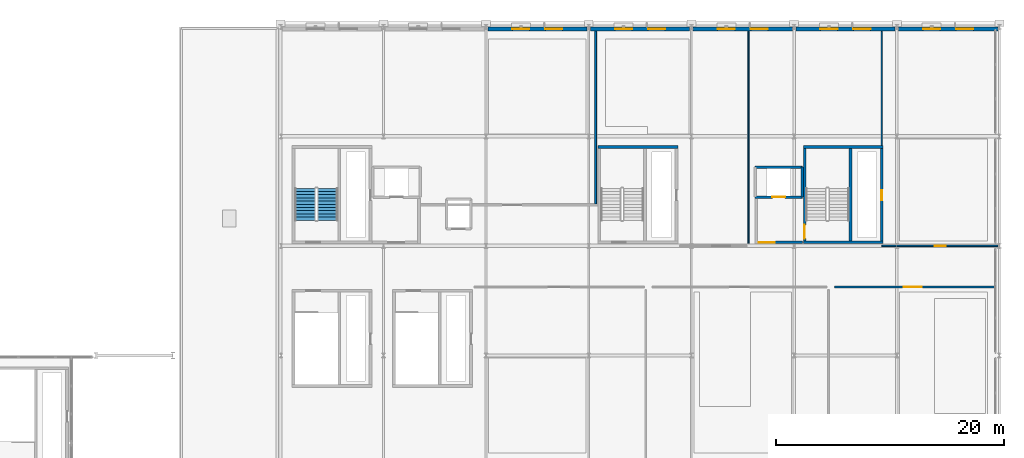
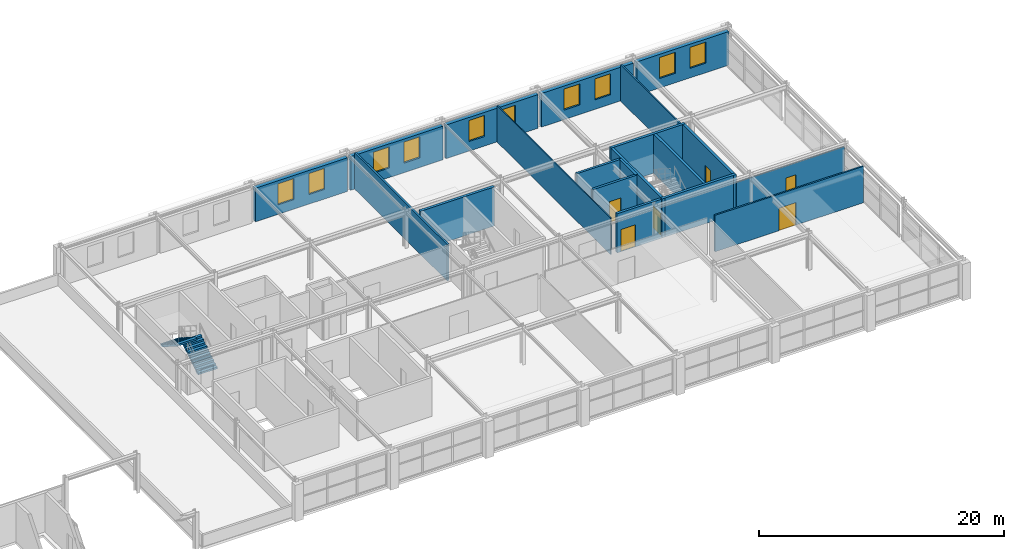
# One storey, part 39 of 52: 20 walls, 10 windows, 6 doors, 2 stair flights, 16 openings, 1 element without a shape of its own.
"""IFC4 building model written with IfcOpenShell, lengths in metres."""

from ifc_helpers import new_model, si_unit, direction, frame, frame_2d, origin, place, context, subcontext, project, spatial, polyline, rectangle, outline, extrude, material, layer, layer_set, type_object, element, fill, aggregate, save


model = new_model("IFC4")

# Units and contexts
model_context = context("Model", 3, precision=1e-05, world=origin(), true_north=direction((0.0, 1.0)))
body_context = subcontext(model_context, "Body", "Model", "MODEL_VIEW")
ifc_project = project(units=[si_unit("LENGTHUNIT", "METRE"), si_unit("AREAUNIT", "SQUARE_METRE"), si_unit("VOLUMEUNIT", "CUBIC_METRE"), si_unit("PLANEANGLEUNIT", "RADIAN"), si_unit("MASSUNIT", "GRAM", prefix="KILO")], contexts=[model_context])

# Site, building, storey
site_placement = place(None, origin())
site = spatial("IfcSite", under=ifc_project, at=site_placement, CompositionType="ELEMENT")
building_placement = place(site_placement, origin())
building = spatial("IfcBuilding", under=site, at=building_placement, Name="Myrtia Square Station", CompositionType="ELEMENT")
storey_placement = place(building_placement, frame((0.0, 0.0, 15.0)))
storey = spatial("IfcBuildingStorey", under=building, at=storey_placement, Name="L03", CompositionType="ELEMENT", Elevation=15.0)

# Walls
ifc_material_1 = material(Name="Concrete C35/45", Category="concrete")
ifc_layer_1 = layer(ifc_material_1, 0.25, Name="Concrete C35/45")
ifc_layer_set_1 = layer_set([ifc_layer_1], Name="Concrete C35/45")
wall_type_1 = type_object("IfcWallType", Name="WL-CORE-250", PredefinedType="SHEAR", material=ifc_layer_set_1)
for number, where, z_axis, x_axis, name in (
    (1, (171.800048828125, 105.925048828125, 0.0), (0.0, 0.0, 1.0), (1.0, 0.0, 0.0), "Core K8 shear wall L03 S"),
    (2, (171.800048828125, 114.27490234375, 0.0), (0.0, 0.0, 1.0), (1.0, 0.0, 0.0), "Core K8 shear wall L03 N"),
):
    element("IfcWall", number, at=place(storey_placement, frame(where, z_axis=z_axis, x_axis=x_axis)), inside=storey, type_object=wall_type_1, Name=name, PredefinedType="SHEAR", context=body_context, shape_type="SweptSolid", body=[
        extrude(rectangle(XDim=7.0, YDim=0.25, at=frame_2d((3.5, 0.0))), origin(), (0.0, 0.0, 1.0), 3.89990234375),
    ])

# Wall, opening, door
wall_1_placement = place(storey_placement, frame((171.925048828125, 105.800048828125, 0.0), z_axis=(0.0, 0.0, 1.0), x_axis=(0.0, 1.0, 0.0)))
wall_1 = element("IfcWall", 3, at=wall_1_placement, inside=storey, type_object=wall_type_1, Name="Core K8 shear wall L03 W", PredefinedType="SHEAR", context=body_context, shape_type="SweptSolid", body=[
    extrude(rectangle(XDim=8.599853515625, YDim=0.25, at=frame_2d((4.2998046875, 0.0))), origin(), (0.0, 0.0, 1.0), 3.89990234375),
])
opening_1_placement = place(wall_1_placement, frame((0.449951171875, 0.0, 0.0)))
opening_1 = element("IfcOpeningElement", 4, at=opening_1_placement, cuts=wall_1, Name="Opening SD-137", PredefinedType="OPENING", context=body_context, shape_type="SweptSolid", body=[
    extrude(rectangle(XDim=1.199951171875, YDim=2.14990234375, at=frame_2d((0.60009765625, 1.074951171875))), frame((0.0, 0.139892578125, 0.0), z_axis=(0.0, -1.0, 0.0), x_axis=(1.0, 0.0, 0.0)), (0.0, 0.0, 1.0), 0.280029296875),
])
ifc_material_2 = material(Name="Dark bronze anodised aluminium", Category="aluminium")
door_type_1 = type_object("IfcDoorType", Name="DR-STAIR-1200x2150", OperationType="NOTDEFINED", PredefinedType="DOOR", material=ifc_material_2)
door_1_placement = place(opening_1_placement, frame((1.199951171875, 0.0, 0.0), z_axis=(0.0, 0.0, 1.0), x_axis=(-1.0, 0.0, 0.0)))
door_1 = element("IfcDoor", 5, at=door_1_placement, inside=storey, type_object=door_type_1, Name="Protected stair fire door K8 L03", OperationType="SINGLE_SWING_LEFT", OverallHeight=2.14990234375, OverallWidth=1.199951171875, PredefinedType="DOOR", context=body_context, shape_type="SweptSolid", body=[
    extrude(rectangle(XDim=1.199951171875, YDim=2.14990234375, at=frame_2d((0.60009765625, 1.074951171875))), frame((0.0, 0.02490234375, 0.0), z_axis=(0.0, -1.0, 0.0), x_axis=(1.0, 0.0, 0.0)), (0.0, 0.0, 1.0), 0.050048828125),
])
fill(opening_1, door_1)

wall_2_placement = place(storey_placement, frame((178.675048828125, 105.800048828125, 0.0), z_axis=(0.0, 0.0, 1.0), x_axis=(0.0, 1.0, 0.0)))
wall_2 = element("IfcWall", 6, at=wall_2_placement, inside=storey, type_object=wall_type_1, Name="Core K8 shear wall L03 E", PredefinedType="SHEAR", context=body_context, shape_type="SweptSolid", body=[
    extrude(rectangle(XDim=8.599853515625, YDim=0.25, at=frame_2d((4.2998046875, 0.0))), origin(), (0.0, 0.0, 1.0), 3.89990234375),
])
opening_2_placement = place(wall_2_placement, frame((3.800048828125, 0.0, 0.0)))
opening_2 = element("IfcOpeningElement", 7, at=opening_2_placement, cuts=wall_2, Name="Opening RD-138", PredefinedType="OPENING", context=body_context, shape_type="SweptSolid", body=[
    extrude(rectangle(XDim=0.89990234375, YDim=2.050048828125, at=frame_2d((0.449951171875, 1.02490234375))), frame((0.0, 0.139892578125, 0.0), z_axis=(0.0, -1.0, 0.0), x_axis=(1.0, 0.0, 0.0)), (0.0, 0.0, 1.0), 0.280029296875),
])
door_type_2 = type_object("IfcDoorType", Name="DR-RISER-900x2050", OperationType="NOTDEFINED", PredefinedType="DOOR", material=ifc_material_2)
door_2_placement = place(opening_2_placement, origin())
door_2 = element("IfcDoor", 8, at=door_2_placement, inside=storey, type_object=door_type_2, Name="Riser cupboard access door K8 L03", OperationType="SINGLE_SWING_RIGHT", OverallHeight=2.050048828125, OverallWidth=0.89990234375, PredefinedType="DOOR", context=body_context, shape_type="SweptSolid", body=[
    extrude(rectangle(XDim=0.89990234375, YDim=2.050048828125, at=frame_2d((0.449951171875, 1.02490234375))), frame((0.0, 0.02490234375, 0.0), z_axis=(0.0, -1.0, 0.0), x_axis=(1.0, 0.0, 0.0)), (0.0, 0.0, 1.0), 0.050048828125),
])
fill(opening_2, door_2)

# Walls
wall_3_placement = place(storey_placement, frame((175.93994140625, 106.0, 0.0), z_axis=(0.0, 0.0, 1.0), x_axis=(0.0, 1.0, 0.0)))
element("IfcWall", 9, at=wall_3_placement, inside=storey, type_object=wall_type_1, Name="Core K8 shear wall L03 D", PredefinedType="SHEAR", context=body_context, shape_type="SweptSolid", body=[
    extrude(rectangle(XDim=8.199951171875, YDim=0.25, at=frame_2d((4.10009765625, 0.0))), origin(), (0.0, 0.0, 1.0), 3.89990234375),
])
wall_4_placement = place(storey_placement, frame((153.800048828125, 114.27490234375, 0.0), z_axis=(0.0, 0.0, 1.0), x_axis=(1.0, 0.0, 0.0)))
element("IfcWall", 10, at=wall_4_placement, inside=storey, type_object=wall_type_1, Name="Core K15 shear wall L03 N", PredefinedType="SHEAR", context=body_context, shape_type="SweptSolid", body=[
    extrude(rectangle(XDim=7.0, YDim=0.25, at=frame_2d((3.5, 0.0))), origin(), (0.0, 0.0, 1.0), 3.89990234375),
])

# Wall, openings, windows
ifc_material_3 = material(Name="Cream lime stucco on clay brick masonry", Category="masonry")
ifc_layer_2 = layer(ifc_material_3, 0.360107421875, Name="Cream lime stucco on clay brick masonry")
ifc_layer_set_2 = layer_set([ifc_layer_2], Name="Cream lime stucco on clay brick masonry")
wall_type_2 = type_object("IfcWallType", Name="WL-EXT-STUCCO-360", PredefinedType="SOLIDWALL", material=ifc_layer_set_2)
wall_5_placement = place(storey_placement, frame((144.155029296875, 124.60009765625, 0.0), z_axis=(0.0, 0.0, 1.0), x_axis=(1.0, 0.0, 0.0)))
wall_5 = element("IfcWall", 11, at=wall_5_placement, inside=storey, type_object=wall_type_2, Name="Exterior envelope wall EW-L03-0130", PredefinedType="SOLIDWALL", context=body_context, shape_type="SweptSolid", body=[
    extrude(rectangle(XDim=8.68994140625, YDim=0.360107421875, at=frame_2d((4.344970703125, 0.0))), origin(), (0.0, 0.0, 1.0), 3.360107421875),
])
opening_3_placement = place(wall_5_placement, frame((2.14697265625, 0.0, 0.949951171875)))
opening_3 = element("IfcOpeningElement", 12, at=opening_3_placement, cuts=wall_5, Name="Opening WN-153", PredefinedType="OPENING", context=body_context, shape_type="SweptSolid", body=[
    extrude(rectangle(XDim=1.5, YDim=2.10009765625, at=frame_2d((0.75, 1.050048828125))), frame((0.0, 0.195068359375, 0.0), z_axis=(0.0, -1.0, 0.0), x_axis=(1.0, 0.0, 0.0)), (0.0, 0.0, 1.0), 0.39013671875),
])
opening_4_placement = place(wall_5_placement, frame((5.04296875, 0.0, 0.949951171875)))
opening_4 = element("IfcOpeningElement", 13, at=opening_4_placement, cuts=wall_5, Name="Opening WN-154", PredefinedType="OPENING", context=body_context, shape_type="SweptSolid", body=[
    extrude(rectangle(XDim=1.5, YDim=2.10009765625, at=frame_2d((0.75, 1.050048828125))), frame((0.0, 0.195068359375, 0.0), z_axis=(0.0, -1.0, 0.0), x_axis=(1.0, 0.0, 0.0)), (0.0, 0.0, 1.0), 0.39013671875),
])
ifc_material_4 = material(Name="Tinted low-E solar control glass", Category="glass")
window_type = type_object("IfcWindowType", Name="WN-LOG-1500x2100", PartitioningType="SINGLE_PANEL", PredefinedType="WINDOW", material=ifc_material_4)
window_1_placement = place(opening_3_placement, origin())
window_1 = element("IfcWindow", 14, at=window_1_placement, inside=storey, type_object=window_type, Name="Window WN-153", OverallHeight=2.10009765625, OverallWidth=1.5, PartitioningType="SINGLE_PANEL", PredefinedType="WINDOW", context=body_context, shape_type="SweptSolid", body=[
    extrude(rectangle(XDim=1.5, YDim=2.10009765625, at=frame_2d((0.75, 1.050048828125))), frame((0.0, 0.030029296875, 0.0), z_axis=(0.0, -1.0, 0.0), x_axis=(1.0, 0.0, 0.0)), (0.0, 0.0, 1.0), 0.06005859375),
])
fill(opening_3, window_1)
window_2_placement = place(opening_4_placement, origin())
window_2 = element("IfcWindow", 15, at=window_2_placement, inside=storey, type_object=window_type, Name="Window WN-154", OverallHeight=2.10009765625, OverallWidth=1.5, PartitioningType="SINGLE_PANEL", PredefinedType="WINDOW", context=body_context, shape_type="SweptSolid", body=[
    extrude(rectangle(XDim=1.5, YDim=2.10009765625, at=frame_2d((0.75, 1.050048828125))), frame((0.0, 0.030029296875, 0.0), z_axis=(0.0, -1.0, 0.0), x_axis=(1.0, 0.0, 0.0)), (0.0, 0.0, 1.0), 0.06005859375),
])
fill(opening_4, window_2)

wall_6_placement = place(storey_placement, frame((153.155029296875, 124.60009765625, 0.0), z_axis=(0.0, 0.0, 1.0), x_axis=(1.0, 0.0, 0.0)))
wall_6 = element("IfcWall", 16, at=wall_6_placement, inside=storey, type_object=wall_type_2, Name="Exterior envelope wall EW-L03-0131", PredefinedType="SOLIDWALL", context=body_context, shape_type="SweptSolid", body=[
    extrude(rectangle(XDim=8.68994140625, YDim=0.360107421875, at=frame_2d((4.344970703125, 0.0))), origin(), (0.0, 0.0, 1.0), 3.360107421875),
])
opening_5_placement = place(wall_6_placement, frame((2.14697265625, 0.0, 0.949951171875)))
opening_5 = element("IfcOpeningElement", 17, at=opening_5_placement, cuts=wall_6, Name="Opening WN-155", PredefinedType="OPENING", context=body_context, shape_type="SweptSolid", body=[
    extrude(rectangle(XDim=1.5, YDim=2.10009765625, at=frame_2d((0.75, 1.050048828125))), frame((0.0, 0.195068359375, 0.0), z_axis=(0.0, -1.0, 0.0), x_axis=(1.0, 0.0, 0.0)), (0.0, 0.0, 1.0), 0.39013671875),
])
opening_6_placement = place(wall_6_placement, frame((5.04296875, 0.0, 0.949951171875)))
opening_6 = element("IfcOpeningElement", 18, at=opening_6_placement, cuts=wall_6, Name="Opening WN-156", PredefinedType="OPENING", context=body_context, shape_type="SweptSolid", body=[
    extrude(rectangle(XDim=1.5, YDim=2.10009765625, at=frame_2d((0.75, 1.050048828125))), frame((0.0, 0.195068359375, 0.0), z_axis=(0.0, -1.0, 0.0), x_axis=(1.0, 0.0, 0.0)), (0.0, 0.0, 1.0), 0.39013671875),
])
window_3_placement = place(opening_5_placement, origin())
window_3 = element("IfcWindow", 19, at=window_3_placement, inside=storey, type_object=window_type, Name="Window WN-155", OverallHeight=2.10009765625, OverallWidth=1.5, PartitioningType="SINGLE_PANEL", PredefinedType="WINDOW", context=body_context, shape_type="SweptSolid", body=[
    extrude(rectangle(XDim=1.5, YDim=2.10009765625, at=frame_2d((0.75, 1.050048828125))), frame((0.0, 0.030029296875, 0.0), z_axis=(0.0, -1.0, 0.0), x_axis=(1.0, 0.0, 0.0)), (0.0, 0.0, 1.0), 0.06005859375),
])
fill(opening_5, window_3)
window_4_placement = place(opening_6_placement, origin())
window_4 = element("IfcWindow", 20, at=window_4_placement, inside=storey, type_object=window_type, Name="Window WN-156", OverallHeight=2.10009765625, OverallWidth=1.5, PartitioningType="SINGLE_PANEL", PredefinedType="WINDOW", context=body_context, shape_type="SweptSolid", body=[
    extrude(rectangle(XDim=1.5, YDim=2.10009765625, at=frame_2d((0.75, 1.050048828125))), frame((0.0, 0.030029296875, 0.0), z_axis=(0.0, -1.0, 0.0), x_axis=(1.0, 0.0, 0.0)), (0.0, 0.0, 1.0), 0.06005859375),
])
fill(opening_6, window_4)

wall_7_placement = place(storey_placement, frame((162.155029296875, 124.60009765625, 0.0), z_axis=(0.0, 0.0, 1.0), x_axis=(1.0, 0.0, 0.0)))
wall_7 = element("IfcWall", 21, at=wall_7_placement, inside=storey, type_object=wall_type_2, Name="Exterior envelope wall EW-L03-0132", PredefinedType="SOLIDWALL", context=body_context, shape_type="SweptSolid", body=[
    extrude(rectangle(XDim=8.68994140625, YDim=0.360107421875, at=frame_2d((4.344970703125, 0.0))), origin(), (0.0, 0.0, 1.0), 3.360107421875),
])
opening_7_placement = place(wall_7_placement, frame((2.14697265625, 0.0, 0.949951171875)))
opening_7 = element("IfcOpeningElement", 22, at=opening_7_placement, cuts=wall_7, Name="Opening WN-157", PredefinedType="OPENING", context=body_context, shape_type="SweptSolid", body=[
    extrude(rectangle(XDim=1.5, YDim=2.10009765625, at=frame_2d((0.75, 1.050048828125))), frame((0.0, 0.195068359375, 0.0), z_axis=(0.0, -1.0, 0.0), x_axis=(1.0, 0.0, 0.0)), (0.0, 0.0, 1.0), 0.39013671875),
])
opening_8_placement = place(wall_7_placement, frame((5.04296875, 0.0, 0.949951171875)))
opening_8 = element("IfcOpeningElement", 23, at=opening_8_placement, cuts=wall_7, Name="Opening WN-158", PredefinedType="OPENING", context=body_context, shape_type="SweptSolid", body=[
    extrude(rectangle(XDim=1.5, YDim=2.10009765625, at=frame_2d((0.75, 1.050048828125))), frame((0.0, 0.195068359375, 0.0), z_axis=(0.0, -1.0, 0.0), x_axis=(1.0, 0.0, 0.0)), (0.0, 0.0, 1.0), 0.39013671875),
])
window_5_placement = place(opening_7_placement, origin())
window_5 = element("IfcWindow", 24, at=window_5_placement, inside=storey, type_object=window_type, Name="Window WN-157", OverallHeight=2.10009765625, OverallWidth=1.5, PartitioningType="SINGLE_PANEL", PredefinedType="WINDOW", context=body_context, shape_type="SweptSolid", body=[
    extrude(rectangle(XDim=1.5, YDim=2.10009765625, at=frame_2d((0.75, 1.050048828125))), frame((0.0, 0.030029296875, 0.0), z_axis=(0.0, -1.0, 0.0), x_axis=(1.0, 0.0, 0.0)), (0.0, 0.0, 1.0), 0.06005859375),
])
fill(opening_7, window_5)
window_6_placement = place(opening_8_placement, origin())
window_6 = element("IfcWindow", 25, at=window_6_placement, inside=storey, type_object=window_type, Name="Window WN-158", OverallHeight=2.10009765625, OverallWidth=1.5, PartitioningType="SINGLE_PANEL", PredefinedType="WINDOW", context=body_context, shape_type="SweptSolid", body=[
    extrude(rectangle(XDim=1.5, YDim=2.10009765625, at=frame_2d((0.75, 1.050048828125))), frame((0.0, 0.030029296875, 0.0), z_axis=(0.0, -1.0, 0.0), x_axis=(1.0, 0.0, 0.0)), (0.0, 0.0, 1.0), 0.06005859375),
])
fill(opening_8, window_6)

wall_8_placement = place(storey_placement, frame((171.155029296875, 124.60009765625, 0.0), z_axis=(0.0, 0.0, 1.0), x_axis=(1.0, 0.0, 0.0)))
wall_8 = element("IfcWall", 26, at=wall_8_placement, inside=storey, type_object=wall_type_2, Name="Exterior envelope wall EW-L03-0133", PredefinedType="SOLIDWALL", context=body_context, shape_type="SweptSolid", body=[
    extrude(rectangle(XDim=8.68994140625, YDim=0.360107421875, at=frame_2d((4.344970703125, 0.0))), origin(), (0.0, 0.0, 1.0), 3.360107421875),
])
opening_9_placement = place(wall_8_placement, frame((2.14697265625, 0.0, 0.949951171875)))
opening_9 = element("IfcOpeningElement", 27, at=opening_9_placement, cuts=wall_8, Name="Opening WN-159", PredefinedType="OPENING", context=body_context, shape_type="SweptSolid", body=[
    extrude(rectangle(XDim=1.5, YDim=2.10009765625, at=frame_2d((0.75, 1.050048828125))), frame((0.0, 0.195068359375, 0.0), z_axis=(0.0, -1.0, 0.0), x_axis=(1.0, 0.0, 0.0)), (0.0, 0.0, 1.0), 0.39013671875),
])
opening_10_placement = place(wall_8_placement, frame((5.04296875, 0.0, 0.949951171875)))
opening_10 = element("IfcOpeningElement", 28, at=opening_10_placement, cuts=wall_8, Name="Opening WN-160", PredefinedType="OPENING", context=body_context, shape_type="SweptSolid", body=[
    extrude(rectangle(XDim=1.5, YDim=2.10009765625, at=frame_2d((0.75, 1.050048828125))), frame((0.0, 0.195068359375, 0.0), z_axis=(0.0, -1.0, 0.0), x_axis=(1.0, 0.0, 0.0)), (0.0, 0.0, 1.0), 0.39013671875),
])
window_7_placement = place(opening_9_placement, origin())
window_7 = element("IfcWindow", 29, at=window_7_placement, inside=storey, type_object=window_type, Name="Window WN-159", OverallHeight=2.10009765625, OverallWidth=1.5, PartitioningType="SINGLE_PANEL", PredefinedType="WINDOW", context=body_context, shape_type="SweptSolid", body=[
    extrude(rectangle(XDim=1.5, YDim=2.10009765625, at=frame_2d((0.75, 1.050048828125))), frame((0.0, 0.030029296875, 0.0), z_axis=(0.0, -1.0, 0.0), x_axis=(1.0, 0.0, 0.0)), (0.0, 0.0, 1.0), 0.06005859375),
])
fill(opening_9, window_7)
window_8_placement = place(opening_10_placement, origin())
window_8 = element("IfcWindow", 30, at=window_8_placement, inside=storey, type_object=window_type, Name="Window WN-160", OverallHeight=2.10009765625, OverallWidth=1.5, PartitioningType="SINGLE_PANEL", PredefinedType="WINDOW", context=body_context, shape_type="SweptSolid", body=[
    extrude(rectangle(XDim=1.5, YDim=2.10009765625, at=frame_2d((0.75, 1.050048828125))), frame((0.0, 0.030029296875, 0.0), z_axis=(0.0, -1.0, 0.0), x_axis=(1.0, 0.0, 0.0)), (0.0, 0.0, 1.0), 0.06005859375),
])
fill(opening_10, window_8)

wall_9_placement = place(storey_placement, frame((180.155029296875, 124.60009765625, 0.0), z_axis=(0.0, 0.0, 1.0), x_axis=(1.0, 0.0, 0.0)))
wall_9 = element("IfcWall", 31, at=wall_9_placement, inside=storey, type_object=wall_type_2, Name="Exterior envelope wall EW-L03-0134", PredefinedType="SOLIDWALL", context=body_context, shape_type="SweptSolid", body=[
    extrude(rectangle(XDim=8.68994140625, YDim=0.360107421875, at=frame_2d((4.344970703125, 0.0))), origin(), (0.0, 0.0, 1.0), 3.360107421875),
])
opening_11_placement = place(wall_9_placement, frame((2.14697265625, 0.0, 0.949951171875)))
opening_11 = element("IfcOpeningElement", 32, at=opening_11_placement, cuts=wall_9, Name="Opening WN-161", PredefinedType="OPENING", context=body_context, shape_type="SweptSolid", body=[
    extrude(rectangle(XDim=1.5, YDim=2.10009765625, at=frame_2d((0.75, 1.050048828125))), frame((0.0, 0.195068359375, 0.0), z_axis=(0.0, -1.0, 0.0), x_axis=(1.0, 0.0, 0.0)), (0.0, 0.0, 1.0), 0.39013671875),
])
opening_12_placement = place(wall_9_placement, frame((5.04296875, 0.0, 0.949951171875)))
opening_12 = element("IfcOpeningElement", 33, at=opening_12_placement, cuts=wall_9, Name="Opening WN-162", PredefinedType="OPENING", context=body_context, shape_type="SweptSolid", body=[
    extrude(rectangle(XDim=1.5, YDim=2.10009765625, at=frame_2d((0.75, 1.050048828125))), frame((0.0, 0.195068359375, 0.0), z_axis=(0.0, -1.0, 0.0), x_axis=(1.0, 0.0, 0.0)), (0.0, 0.0, 1.0), 0.39013671875),
])
window_9_placement = place(opening_11_placement, origin())
window_9 = element("IfcWindow", 34, at=window_9_placement, inside=storey, type_object=window_type, Name="Window WN-161", OverallHeight=2.10009765625, OverallWidth=1.5, PartitioningType="SINGLE_PANEL", PredefinedType="WINDOW", context=body_context, shape_type="SweptSolid", body=[
    extrude(rectangle(XDim=1.5, YDim=2.10009765625, at=frame_2d((0.75, 1.050048828125))), frame((0.0, 0.030029296875, 0.0), z_axis=(0.0, -1.0, 0.0), x_axis=(1.0, 0.0, 0.0)), (0.0, 0.0, 1.0), 0.06005859375),
])
fill(opening_11, window_9)
window_10_placement = place(opening_12_placement, origin())
window_10 = element("IfcWindow", 35, at=window_10_placement, inside=storey, type_object=window_type, Name="Window WN-162", OverallHeight=2.10009765625, OverallWidth=1.5, PartitioningType="SINGLE_PANEL", PredefinedType="WINDOW", context=body_context, shape_type="SweptSolid", body=[
    extrude(rectangle(XDim=1.5, YDim=2.10009765625, at=frame_2d((0.75, 1.050048828125))), frame((0.0, 0.030029296875, 0.0), z_axis=(0.0, -1.0, 0.0), x_axis=(1.0, 0.0, 0.0)), (0.0, 0.0, 1.0), 0.06005859375),
])
fill(opening_12, window_10)

# Wall, opening, door
ifc_layer_3 = layer(ifc_material_1, 0.239990234375, Name="Concrete C35/45")
ifc_layer_set_3 = layer_set([ifc_layer_3], Name="Concrete C35/45")
wall_type_3 = type_object("IfcWallType", Name="WL-FFL-240", PredefinedType="SHEAR", material=ifc_layer_set_3)
wall_10_placement = place(storey_placement, frame((167.550048828125, 105.919921875, 0.0), z_axis=(0.0, 0.0, 1.0), x_axis=(1.0, 0.0, 0.0)))
wall_10 = element("IfcWall", 36, at=wall_10_placement, inside=storey, type_object=wall_type_3, Name="Firefighting lift lobby EI 120 wall K8 L03 S", PredefinedType="SHEAR", context=body_context, shape_type="SweptSolid", body=[
    extrude(rectangle(XDim=4.199951171875, YDim=0.239990234375, at=frame_2d((2.10009765625, 0.0))), origin(), (0.0, 0.0, 1.0), 3.89990234375),
])
opening_13_placement = place(wall_10_placement, frame((0.35009765625, 0.0, 0.0)))
opening_13 = element("IfcOpeningElement", 37, at=opening_13_placement, cuts=wall_10, Name="Opening FD-139", PredefinedType="OPENING", context=body_context, shape_type="SweptSolid", body=[
    extrude(rectangle(XDim=1.39990234375, YDim=2.199951171875, at=frame_2d((0.699951171875, 1.10009765625))), frame((0.0, 0.135009765625, 0.0), z_axis=(0.0, -1.0, 0.0), x_axis=(1.0, 0.0, 0.0)), (0.0, 0.0, 1.0), 0.27001953125),
])
door_type_3 = type_object("IfcDoorType", Name="DR-FFL-1400x2200", OperationType="NOTDEFINED", PredefinedType="DOOR", material=ifc_material_2)
door_3_placement = place(opening_13_placement, frame((1.39990234375, 0.0, 0.0), z_axis=(0.0, 0.0, 1.0), x_axis=(-1.0, 0.0, 0.0)))
door_3 = element("IfcDoor", 38, at=door_3_placement, inside=storey, type_object=door_type_3, Name="Firefighting lobby fire door K8 L03", OperationType="SINGLE_SWING_LEFT", OverallHeight=2.199951171875, OverallWidth=1.39990234375, PredefinedType="DOOR", context=body_context, shape_type="SweptSolid", body=[
    extrude(rectangle(XDim=1.39990234375, YDim=2.199951171875, at=frame_2d((0.699951171875, 1.10009765625))), frame((0.0, 0.02490234375, 0.0), z_axis=(0.0, -1.0, 0.0), x_axis=(1.0, 0.0, 0.0)), (0.0, 0.0, 1.0), 0.050048828125),
])
fill(opening_13, door_3)

ifc_layer_4 = layer(ifc_material_1, 0.219970703125, Name="Concrete C35/45")
ifc_layer_set_4 = layer_set([ifc_layer_4], Name="Concrete C35/45")
wall_type_4 = type_object("IfcWallType", Name="WL-LIFT-220", PredefinedType="SHEAR", material=ifc_layer_set_4)
wall_11_placement = place(storey_placement, frame((167.570068359375, 109.8798828125, 0.0), z_axis=(0.0, 0.0, 1.0), x_axis=(1.0, 0.0, 0.0)))
wall_11 = element("IfcWall", 39, at=wall_11_placement, inside=storey, type_object=wall_type_4, Name="Lift shaft wall FFL-04 L03 -Y", PredefinedType="SHEAR", context=body_context, shape_type="SweptSolid", body=[
    extrude(rectangle(XDim=4.159912109375, YDim=0.219970703125, at=frame_2d((2.080078125, 0.0))), origin(), (0.0, 0.0, 1.0), 3.89990234375),
])
opening_14_placement = place(wall_11_placement, frame((1.530029296875, 0.0, 0.0)))
opening_14 = element("IfcOpeningElement", 40, at=opening_14_placement, cuts=wall_11, Name="Opening LD-FFL-04", PredefinedType="OPENING", context=body_context, shape_type="SweptSolid", body=[
    extrude(rectangle(XDim=1.10009765625, YDim=2.14990234375, at=frame_2d((0.550048828125, 1.074951171875))), frame((0.0, 0.125, 0.0), z_axis=(0.0, -1.0, 0.0), x_axis=(1.0, 0.0, 0.0)), (0.0, 0.0, 1.0), 0.25),
])
door_type_4 = type_object("IfcDoorType", Name="DR-LIFT-1100x2150", OperationType="NOTDEFINED", PredefinedType="DOOR", material=ifc_material_2)
door_4_placement = place(opening_14_placement, origin())
door_4 = element("IfcDoor", 41, at=door_4_placement, inside=storey, type_object=door_type_4, Name="Lift landing door FFL-04 L03", OperationType="SLIDING_TO_RIGHT", OverallHeight=2.14990234375, OverallWidth=1.10009765625, PredefinedType="DOOR", context=body_context, shape_type="SweptSolid", body=[
    extrude(rectangle(XDim=1.10009765625, YDim=2.14990234375, at=frame_2d((0.550048828125, 1.074951171875))), frame((0.0, 0.02490234375, 0.0), z_axis=(0.0, -1.0, 0.0), x_axis=(1.0, 0.0, 0.0)), (0.0, 0.0, 1.0), 0.050048828125),
])
fill(opening_14, door_4)

# Walls
wall_12_placement = place(storey_placement, frame((167.570068359375, 112.5, 0.0), z_axis=(0.0, 0.0, 1.0), x_axis=(1.0, 0.0, 0.0)))
element("IfcWall", 42, at=wall_12_placement, inside=storey, type_object=wall_type_4, Name="Lift shaft wall FFL-04 L03 +Y", PredefinedType="SHEAR", context=body_context, shape_type="SweptSolid", body=[
    extrude(rectangle(XDim=4.159912109375, YDim=0.219970703125, at=frame_2d((2.080078125, 0.0))), origin(), (0.0, 0.0, 1.0), 3.89990234375),
])
wall_13_placement = place(storey_placement, frame((171.72998046875, 109.8798828125, 0.0), z_axis=(0.0, 0.0, 1.0), x_axis=(0.0, 1.0, 0.0)))
element("IfcWall", 43, at=wall_13_placement, inside=storey, type_object=wall_type_4, Name="Lift shaft wall FFL-04 L03 +X", PredefinedType="SHEAR", context=body_context, shape_type="SweptSolid", body=[
    extrude(rectangle(XDim=2.6201171875, YDim=0.219970703125, at=frame_2d((1.31005859375, 0.0))), origin(), (0.0, 0.0, 1.0), 3.89990234375),
])
ifc_material_5 = material(Name="Gypsum plasterboard")
ifc_layer_5 = layer(ifc_material_5, 0.10009765625, Name="Gypsum plasterboard")
ifc_layer_set_5 = layer_set([ifc_layer_5], Name="Gypsum plasterboard")
wall_type_5 = type_object("IfcWallType", Name="WL-PART-100", PredefinedType="PARTITIONING", material=ifc_layer_set_5)
wall_14_placement = place(storey_placement, frame((167.0, 105.85009765625, 0.0), z_axis=(0.0, 0.0, 1.0), x_axis=(0.0, 1.0, 0.0)))
element("IfcWall", 44, at=wall_14_placement, inside=storey, type_object=wall_type_5, Name="Room divider partition L03-15", PredefinedType="PARTITIONING", context=body_context, shape_type="SweptSolid", body=[
    extrude(rectangle(XDim=18.56494140625, YDim=0.10009765625, at=frame_2d((9.282470703125, 0.0))), origin(), (0.0, 0.0, 1.0), 3.639892578125),
])

# Wall, opening, door
ifc_layer_6 = layer(ifc_material_5, 0.125, Name="Gypsum plasterboard")
ifc_layer_set_6 = layer_set([ifc_layer_6], Name="Gypsum plasterboard")
wall_type_6 = type_object("IfcWallType", Name="WL-PART-125", PredefinedType="PARTITIONING", material=ifc_layer_set_6)
wall_15_placement = place(storey_placement, frame((178.679931640625, 105.60009765625, 0.0), z_axis=(0.0, 0.0, 1.0), x_axis=(1.0, 0.0, 0.0)))
wall_15 = element("IfcWall", 45, at=wall_15_placement, inside=storey, type_object=wall_type_6, Name="Interior partition wall L03-17", PredefinedType="PARTITIONING", context=body_context, shape_type="SweptSolid", body=[
    extrude(rectangle(XDim=10.1650390625, YDim=0.125, at=frame_2d((5.08251953125, 0.0))), origin(), (0.0, 0.0, 1.0), 3.2900390625),
])
opening_15_placement = place(wall_15_placement, frame((4.64501953125, 0.0, 0.0)))
opening_15 = element("IfcOpeningElement", 46, at=opening_15_placement, cuts=wall_15, Name="Opening D-278", PredefinedType="OPENING", context=body_context, shape_type="SweptSolid", body=[
    extrude(rectangle(XDim=0.949951171875, YDim=2.10009765625, at=frame_2d((0.47509765625, 1.050048828125))), frame((0.0, 0.077392578125, 0.0), z_axis=(0.0, -1.0, 0.0), x_axis=(1.0, 0.0, 0.0)), (0.0, 0.0, 1.0), 0.155029296875),
])
ifc_material_6 = material(Name="Acoustic European oak timber", Category="wood")
door_type_5 = type_object("IfcDoorType", Name="DR-WC-950x2100", OperationType="NOTDEFINED", PredefinedType="DOOR", material=ifc_material_6)
door_5_placement = place(opening_15_placement, frame((0.949951171875, 0.0, 0.0), z_axis=(0.0, 0.0, 1.0), x_axis=(-1.0, 0.0, 0.0)))
door_5 = element("IfcDoor", 47, at=door_5_placement, inside=storey, type_object=door_type_5, Name="Canteen Staff Sanitary and Accessible WC door D-278", OperationType="SINGLE_SWING_RIGHT", OverallHeight=2.10009765625, OverallWidth=0.949951171875, PredefinedType="DOOR", context=body_context, shape_type="SweptSolid", body=[
    extrude(rectangle(XDim=0.949951171875, YDim=2.10009765625, at=frame_2d((0.47509765625, 1.050048828125))), frame((0.0, 0.02490234375, 0.0), z_axis=(0.0, -1.0, 0.0), x_axis=(1.0, 0.0, 0.0)), (0.0, 0.0, 1.0), 0.050048828125),
])
fill(opening_15, door_5)

# Wall
wall_16_placement = place(storey_placement, frame((178.675048828125, 114.409912109375, 0.0), z_axis=(0.0, 0.0, 1.0), x_axis=(0.0, 1.0, 0.0)))
element("IfcWall", 48, at=wall_16_placement, inside=storey, type_object=wall_type_6, Name="Sanitary enclosure partition L03-17", PredefinedType="PARTITIONING", context=body_context, shape_type="SweptSolid", body=[
    extrude(rectangle(XDim=10.0, YDim=0.125, at=frame_2d((5.0, 0.0))), origin(), (0.0, 0.0, 1.0), 3.639892578125),
])

# Wall, opening, door
ifc_layer_7 = layer(ifc_material_5, 0.14990234375, Name="Gypsum plasterboard")
ifc_layer_set_7 = layer_set([ifc_layer_7], Name="Gypsum plasterboard")
wall_type_7 = type_object("IfcWallType", Name="WL-PART-150", PredefinedType="PARTITIONING", material=ifc_layer_set_7)
wall_17_placement = place(storey_placement, frame((174.550048828125, 102.0, 0.0), z_axis=(0.0, 0.0, 1.0), x_axis=(1.0, 0.0, 0.0)))
wall_17 = element("IfcWall", 49, at=wall_17_placement, inside=storey, type_object=wall_type_7, Name="Interior partition wall L03-13", PredefinedType="PARTITIONING", context=body_context, shape_type="SweptSolid", body=[
    extrude(rectangle(XDim=14.014892578125, YDim=0.14990234375, at=frame_2d((7.00732421875, 0.0))), origin(), (0.0, 0.0, 1.0), 3.639892578125),
])
opening_16_placement = place(wall_17_placement, frame((6.050048828125, 0.0, 0.0)))
opening_16 = element("IfcOpeningElement", 50, at=opening_16_placement, cuts=wall_17, Name="Opening D-275", PredefinedType="OPENING", context=body_context, shape_type="SweptSolid", body=[
    extrude(rectangle(XDim=1.60009765625, YDim=2.25, at=frame_2d((0.800048828125, 1.125))), frame((0.0, 0.08984375, 0.0), z_axis=(0.0, -1.0, 0.0), x_axis=(1.0, 0.0, 0.0)), (0.0, 0.0, 1.0), 0.179931640625),
])
door_type_6 = type_object("IfcDoorType", Name="DR-CORR-1600x2250", OperationType="NOTDEFINED", PredefinedType="DOOR", material=ifc_material_2)
door_6_placement = place(opening_16_placement, origin())
door_6 = element("IfcDoor", 51, at=door_6_placement, inside=storey, type_object=door_type_6, Name="Crew Duty Quiet Lounge West door D-275", OperationType="DOUBLE_DOOR_SINGLE_SWING", OverallHeight=2.25, OverallWidth=1.60009765625, PredefinedType="DOOR", context=body_context, shape_type="SweptSolid", body=[
    extrude(rectangle(XDim=1.60009765625, YDim=2.25, at=frame_2d((0.800048828125, 1.125))), frame((0.0, 0.02490234375, 0.0), z_axis=(0.0, -1.0, 0.0), x_axis=(1.0, 0.0, 0.0)), (0.0, 0.0, 1.0), 0.050048828125),
])
fill(opening_16, door_6)

# Wall
ifc_layer_8 = layer(ifc_material_3, 0.175048828125, Name="Cream lime stucco on clay brick masonry")
ifc_layer_set_8 = layer_set([ifc_layer_8], Name="Cream lime stucco on clay brick masonry")
wall_type_8 = type_object("IfcWallType", Name="WL-PART-175", PredefinedType="PARTITIONING", material=ifc_layer_set_8)
wall_18_placement = place(storey_placement, frame((153.60009765625, 109.29248046875, 0.0), z_axis=(0.0, 0.0, 1.0), x_axis=(0.0, 1.0, 0.0)))
element("IfcWall", 52, at=wall_18_placement, inside=storey, type_object=wall_type_8, Name="Room divider partition L03-14", PredefinedType="PARTITIONING", context=body_context, shape_type="SweptSolid", body=[
    extrude(rectangle(XDim=15.12255859375, YDim=0.175048828125, at=frame_2d((7.561279296875, 0.0))), origin(), (0.0, 0.0, 1.0), 3.639892578125),
])

# Stair, stair flights
stair_type = type_object("IfcStairType", Name="STR-05-22R-1800W", PredefinedType="HALF_TURN_STAIR", material=ifc_material_1)
stair_placement = place(storey_placement, origin())
stair = element("IfcStair", 53, at=stair_placement, inside=storey, type_object=stair_type, Name="L03 Core escape stair ST07", PredefinedType="HALF_TURN_STAIR")
stair_flight_type = type_object("IfcStairFlightType", Name="STF-05-11R-1800W", PredefinedType="STRAIGHT", material=ifc_material_1)
stair_flight_1_placement = place(storey_placement, frame((130.110107421875, 107.85009765625, 0.0), z_axis=(0.0, 0.0, 1.0), x_axis=(0.0, 1.0, 0.0)))
stair_flight_1 = element("IfcStairFlight", 54, at=stair_flight_1_placement, type_object=stair_flight_type, Name="ST07 flight 1", NumberOfRisers=11, NumberOfTreads=10, PredefinedType="STRAIGHT", RiserHeight=0.177272727, TreadLength=0.28, context=body_context, shape_type="SweptSolid", body=[
    extrude(outline(polyline([(0.0, 0.0), (0.0, 0.17724609375), (0.280029296875, 0.17724609375), (0.280029296875, 0.3544921875), (0.56005859375, 0.3544921875), (0.56005859375, 0.53173828125), (0.840087890625, 0.53173828125), (0.840087890625, 0.708984375), (1.1201171875, 0.708984375), (1.1201171875, 0.886474609375), (1.39990234375, 0.886474609375), (1.39990234375, 1.063720703125), (1.679931640625, 1.063720703125), (1.679931640625, 1.240966796875), (1.9599609375, 1.240966796875), (1.9599609375, 1.418212890625), (2.239990234375, 1.418212890625), (2.239990234375, 1.595458984375), (2.52001953125, 1.595458984375), (2.52001953125, 1.772705078125), (2.800048828125, 1.772705078125), (2.800048828125, 1.949951171875), (2.800048828125, 1.59521484375), (0.2802734375, 0.0), (0.0, 0.0)])), frame((0.0, 0.89990234375, 0.0), z_axis=(0.0, -1.0, 0.0), x_axis=(1.0, 0.0, 0.0)), (0.0, 0.0, 1.0), 1.800048828125),
])
stair_flight_2_placement = place(storey_placement, frame((128.14990234375, 110.64990234375, 1.949951171875), z_axis=(0.0, 0.0, 1.0), x_axis=(0.0, -1.0, 0.0)))
stair_flight_2 = element("IfcStairFlight", 55, at=stair_flight_2_placement, type_object=stair_flight_type, Name="ST07 flight 2", NumberOfRisers=11, NumberOfTreads=10, PredefinedType="STRAIGHT", RiserHeight=0.177272727, TreadLength=0.28, context=body_context, shape_type="SweptSolid", body=[
    extrude(outline(polyline([(0.0, 0.0), (0.0, 0.17724609375), (0.280029296875, 0.17724609375), (0.280029296875, 0.3544921875), (0.56005859375, 0.3544921875), (0.56005859375, 0.53173828125), (0.840087890625, 0.53173828125), (0.840087890625, 0.708984375), (1.1201171875, 0.708984375), (1.1201171875, 0.886474609375), (1.39990234375, 0.886474609375), (1.39990234375, 1.063720703125), (1.679931640625, 1.063720703125), (1.679931640625, 1.240966796875), (1.9599609375, 1.240966796875), (1.9599609375, 1.418212890625), (2.239990234375, 1.418212890625), (2.239990234375, 1.595458984375), (2.52001953125, 1.595458984375), (2.52001953125, 1.772705078125), (2.800048828125, 1.772705078125), (2.800048828125, 1.949951171875), (2.800048828125, 1.59521484375), (0.2802734375, 0.0), (0.0, 0.0)])), frame((0.0, 0.89990234375, 0.0), z_axis=(0.0, -1.0, 0.0), x_axis=(1.0, 0.0, 0.0)), (0.0, 0.0, 1.0), 1.800048828125),
])
aggregate(stair, [stair_flight_1, stair_flight_2])

save(model, "model.ifc")
